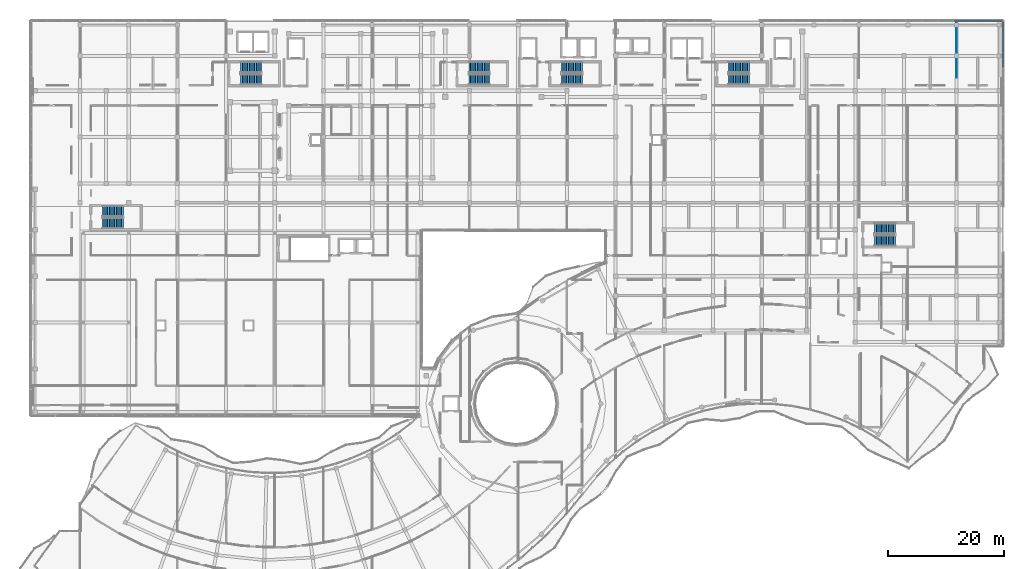
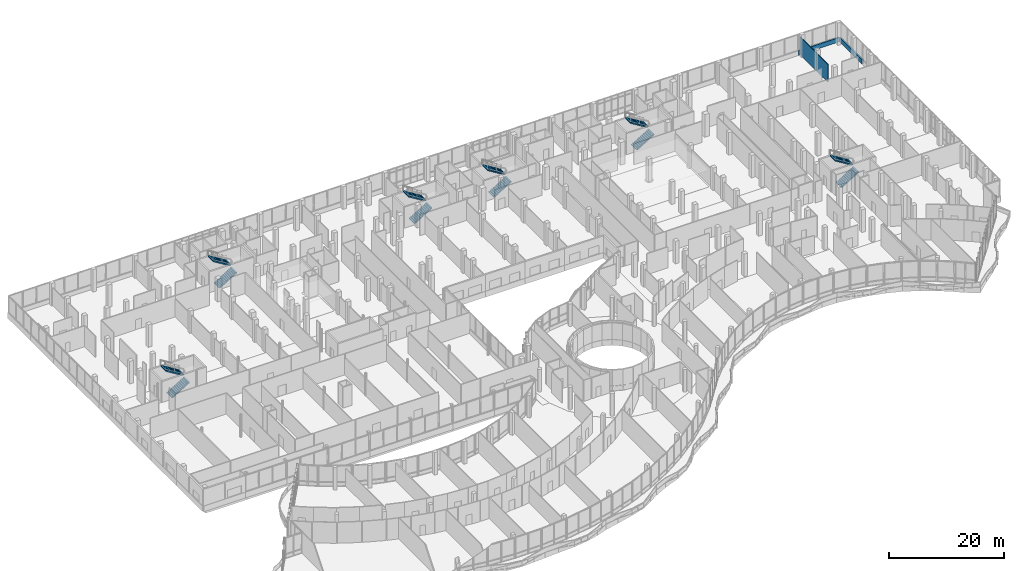
# One storey, part 142 of 155: 12 stair flights, 3 walls, 6 elements without a shape of their own.
"""IFC4 building model written with IfcOpenShell, lengths in metres."""

from ifc_helpers import new_model, si_unit, direction, frame, frame_2d, origin, place, context, subcontext, project, spatial, polyline, rectangle, outline, extrude, material, layer, layer_set, type_object, element, aggregate, save


model = new_model("IFC4")

# Units and contexts
model_context = context("Model", 3, precision=1e-05, world=origin(), true_north=direction((0.0, 1.0)))
body_context = subcontext(model_context, "Body", "Model", "MODEL_VIEW")
ifc_project = project(units=[si_unit("LENGTHUNIT", "METRE"), si_unit("AREAUNIT", "SQUARE_METRE"), si_unit("VOLUMEUNIT", "CUBIC_METRE"), si_unit("PLANEANGLEUNIT", "RADIAN"), si_unit("MASSUNIT", "GRAM", prefix="KILO")], contexts=[model_context])

# Site, building, storey
site_placement = place(None, origin())
site = spatial("IfcSite", under=ifc_project, at=site_placement, CompositionType="ELEMENT")
building_placement = place(site_placement, origin())
building = spatial("IfcBuilding", under=site, at=building_placement, Name="Selatvlak General Hospital", CompositionType="ELEMENT")
storey_placement = place(building_placement, frame((0.0, 0.0, 10.199951171875)))
storey = spatial("IfcBuildingStorey", under=building, at=storey_placement, Name="L02", CompositionType="ELEMENT", Elevation=10.199951171875)

# Walls
ifc_material_1 = material(Name="Precast concrete C40/50 - white Bauhaus spandrel", Category="concrete")
ifc_layer_1 = layer(ifc_material_1, 0.280029296875, Name="Precast concrete C40/50 - white Bauhaus spandrel", Category="concrete")
ifc_layer_set_1 = layer_set([ifc_layer_1], Name="Precast concrete C40/50 - white Bauhaus spandrel")
wall_type_1 = type_object("IfcWallType", Name="WALL-EW-02", PredefinedType="SOLIDWALL", material=ifc_layer_set_1)
wall_1_placement = place(storey_placement, frame((173.62109375, 120.0, 0.0), z_axis=(0.0, 0.0, 1.0), x_axis=(1.0, 0.0, 0.0)))
element("IfcWall", 1, at=wall_1_placement, inside=storey, type_object=wall_type_1, Name="L02 Bauhaus spandrel sill wall 0306", PredefinedType="SOLIDWALL", context=body_context, shape_type="SweptSolid", body=[
    extrude(rectangle(XDim=8.23779296875, YDim=0.280029296875, at=frame_2d((4.118896484375, 0.0))), origin(), (0.0, 0.0, 1.0), 0.93994140625),
])
wall_2_placement = place(storey_placement, frame((181.9990234375, 119.860107421875, 0.0), z_axis=(0.0, 0.0, 1.0), x_axis=(0.0, -1.0, 0.0)))
element("IfcWall", 2, at=wall_2_placement, inside=storey, type_object=wall_type_1, Name="L02 Bauhaus spandrel sill wall 0307", PredefinedType="SOLIDWALL", context=body_context, shape_type="SweptSolid", body=[
    extrude(rectangle(XDim=7.858154296875, YDim=0.280029296875, at=frame_2d((3.92919921875, 0.0))), origin(), (0.0, 0.0, 1.0), 0.93994140625),
])
ifc_material_2 = material(Name="Acoustic gypsum stud partition")
ifc_layer_2 = layer(ifc_material_2, 0.14990234375, Name="Acoustic gypsum stud partition")
ifc_layer_set_2 = layer_set([ifc_layer_2], Name="Acoustic gypsum stud partition")
wall_type_2 = type_object("IfcWallType", Name="WALL-PT-03", PredefinedType="PARTITIONING", material=ifc_layer_set_2)
wall_3_placement = place(storey_placement, frame((174.0, 119.9580078125, 0.0), z_axis=(0.0, 0.0, 1.0), x_axis=(0.0, -1.0, 0.0)))
element("IfcWall", 3, at=wall_3_placement, inside=storey, type_object=wall_type_2, Name="L02 clinical partition PT-L02-1362", PredefinedType="PARTITIONING", context=body_context, shape_type="SweptSolid", body=[
    extrude(rectangle(XDim=9.748046875, YDim=0.14990234375, at=frame_2d((4.8740234375, 0.0))), origin(), (0.0, 0.0, 1.0), 3.81005859375),
])

# Stair, stair flights
ifc_material_3 = material(Name="Precast concrete C40/50", Category="concrete")
stair_type_1 = type_object("IfcStairType", Name="STAIR-ST-01", PredefinedType="HALF_TURN_STAIR", material=ifc_material_3)
stair_1_placement = place(storey_placement, origin())
stair_1 = element("IfcStair", 4, at=stair_1_placement, inside=storey, type_object=stair_type_1, Name="L02 Protected exit stair ST-01", PredefinedType="HALF_TURN_STAIR")
ifc_layer_3 = layer(ifc_material_3, 0.179931640625, Name="Precast concrete C40/50", Category="concrete")
ifc_layer_set_3 = layer_set([ifc_layer_3], Name="Precast concrete C40/50")
stair_flight_type_1 = type_object("IfcStairFlightType", Name="FLIGHT-ST-01", PredefinedType="STRAIGHT", material=ifc_layer_set_3)
stair_flight_1_placement = place(storey_placement, frame((50.510009765625, 109.929931640625, 0.0), z_axis=(0.0, 0.0, 1.0), x_axis=(1.0, 0.0, 0.0)))
stair_flight_1 = element("IfcStairFlight", 5, at=stair_flight_1_placement, type_object=stair_flight_type_1, Name="ST-01 flight 1", NumberOfRisers=13, NumberOfTreads=12, PredefinedType="STRAIGHT", RiserHeight=0.184615385, TreadLength=0.3, context=body_context, shape_type="SweptSolid", body=[
    extrude(outline(polyline([(0.0, 0.0), (0.0, 0.1845703125), (0.300048828125, 0.1845703125), (0.300048828125, 0.369140625), (0.60009765625, 0.369140625), (0.60009765625, 0.553955078125), (0.89990234375, 0.553955078125), (0.89990234375, 0.738525390625), (1.199951171875, 0.738525390625), (1.199951171875, 0.923095703125), (1.5, 0.923095703125), (1.5, 1.107666015625), (1.800048828125, 1.107666015625), (1.800048828125, 1.292236328125), (2.10009765625, 1.292236328125), (2.10009765625, 1.476806640625), (2.39990234375, 1.476806640625), (2.39990234375, 1.66162109375), (2.699951171875, 1.66162109375), (2.699951171875, 1.84619140625), (3.0, 1.84619140625), (3.0, 2.03076171875), (3.300048828125, 2.03076171875), (3.300048828125, 2.21533203125), (3.60009765625, 2.21533203125), (3.60009765625, 2.39990234375), (3.60009765625, 2.004150390625), (0.34326171875, 0.0), (0.0, 0.0)])), frame((0.0, 0.93017578125, 0.0), z_axis=(0.0, -1.0, 0.0), x_axis=(1.0, 0.0, 0.0)), (0.0, 0.0, 1.0), 1.860107421875),
])
stair_flight_2_placement = place(storey_placement, frame((54.110107421875, 112.010009765625, 2.400146484375), z_axis=(0.0, 0.0, 1.0), x_axis=(-1.0, 0.0, 0.0)))
stair_flight_2 = element("IfcStairFlight", 6, at=stair_flight_2_placement, type_object=stair_flight_type_1, Name="ST-01 flight 2", NumberOfRisers=13, NumberOfTreads=12, PredefinedType="STRAIGHT", RiserHeight=0.184615385, TreadLength=0.3, context=body_context, shape_type="SweptSolid", body=[
    extrude(outline(polyline([(0.0, 0.0), (0.0, 0.1845703125), (0.300048828125, 0.1845703125), (0.300048828125, 0.369140625), (0.60009765625, 0.369140625), (0.60009765625, 0.553955078125), (0.89990234375, 0.553955078125), (0.89990234375, 0.738525390625), (1.199951171875, 0.738525390625), (1.199951171875, 0.923095703125), (1.5, 0.923095703125), (1.5, 1.107666015625), (1.800048828125, 1.107666015625), (1.800048828125, 1.292236328125), (2.10009765625, 1.292236328125), (2.10009765625, 1.476806640625), (2.39990234375, 1.476806640625), (2.39990234375, 1.66162109375), (2.699951171875, 1.66162109375), (2.699951171875, 1.84619140625), (3.0, 1.84619140625), (3.0, 2.03076171875), (3.300048828125, 2.03076171875), (3.300048828125, 2.21533203125), (3.60009765625, 2.21533203125), (3.60009765625, 2.39990234375), (3.60009765625, 2.004150390625), (0.34326171875, 0.0), (0.0, 0.0)])), frame((0.0, 0.93017578125, 0.0), z_axis=(0.0, -1.0, 0.0), x_axis=(1.0, 0.0, 0.0)), (0.0, 0.0, 1.0), 1.860107421875),
])
aggregate(stair_1, [stair_flight_1, stair_flight_2])

stair_type_2 = type_object("IfcStairType", Name="STAIR-ST-02", PredefinedType="HALF_TURN_STAIR", material=ifc_material_3)
stair_2_placement = place(storey_placement, origin())
stair_2 = element("IfcStair", 7, at=stair_2_placement, inside=storey, type_object=stair_type_2, Name="L02 Protected exit stair ST-02", PredefinedType="HALF_TURN_STAIR")
ifc_layer_4 = layer(ifc_material_3, 0.179931640625, Name="Precast concrete C40/50", Category="concrete")
ifc_layer_set_4 = layer_set([ifc_layer_4], Name="Precast concrete C40/50")
stair_flight_type_2 = type_object("IfcStairFlightType", Name="FLIGHT-ST-02", PredefinedType="STRAIGHT", material=ifc_layer_set_4)
stair_flight_3_placement = place(storey_placement, frame((89.860107421875, 109.929931640625, 0.0), z_axis=(0.0, 0.0, 1.0), x_axis=(1.0, 0.0, 0.0)))
stair_flight_3 = element("IfcStairFlight", 8, at=stair_flight_3_placement, type_object=stair_flight_type_2, Name="ST-02 flight 1", NumberOfRisers=13, NumberOfTreads=12, PredefinedType="STRAIGHT", RiserHeight=0.184615385, TreadLength=0.3, context=body_context, shape_type="SweptSolid", body=[
    extrude(outline(polyline([(0.0, 0.0), (0.0, 0.1845703125), (0.300048828125, 0.1845703125), (0.300048828125, 0.369140625), (0.60009765625, 0.369140625), (0.60009765625, 0.553955078125), (0.89990234375, 0.553955078125), (0.89990234375, 0.738525390625), (1.199951171875, 0.738525390625), (1.199951171875, 0.923095703125), (1.5, 0.923095703125), (1.5, 1.107666015625), (1.800048828125, 1.107666015625), (1.800048828125, 1.292236328125), (2.10009765625, 1.292236328125), (2.10009765625, 1.476806640625), (2.39990234375, 1.476806640625), (2.39990234375, 1.66162109375), (2.699951171875, 1.66162109375), (2.699951171875, 1.84619140625), (3.0, 1.84619140625), (3.0, 2.03076171875), (3.300048828125, 2.03076171875), (3.300048828125, 2.21533203125), (3.60009765625, 2.21533203125), (3.60009765625, 2.39990234375), (3.60009765625, 2.004150390625), (0.34326171875, 0.0), (0.0, 0.0)])), frame((0.0, 0.93017578125, 0.0), z_axis=(0.0, -1.0, 0.0), x_axis=(1.0, 0.0, 0.0)), (0.0, 0.0, 1.0), 1.860107421875),
])
stair_flight_4_placement = place(storey_placement, frame((93.4599609375, 112.010009765625, 2.400146484375), z_axis=(0.0, 0.0, 1.0), x_axis=(-1.0, 0.0, 0.0)))
stair_flight_4 = element("IfcStairFlight", 9, at=stair_flight_4_placement, type_object=stair_flight_type_2, Name="ST-02 flight 2", NumberOfRisers=13, NumberOfTreads=12, PredefinedType="STRAIGHT", RiserHeight=0.184615385, TreadLength=0.3, context=body_context, shape_type="SweptSolid", body=[
    extrude(outline(polyline([(0.0, 0.0), (0.0, 0.1845703125), (0.300048828125, 0.1845703125), (0.300048828125, 0.369140625), (0.60009765625, 0.369140625), (0.60009765625, 0.553955078125), (0.89990234375, 0.553955078125), (0.89990234375, 0.738525390625), (1.199951171875, 0.738525390625), (1.199951171875, 0.923095703125), (1.5, 0.923095703125), (1.5, 1.107666015625), (1.800048828125, 1.107666015625), (1.800048828125, 1.292236328125), (2.10009765625, 1.292236328125), (2.10009765625, 1.476806640625), (2.39990234375, 1.476806640625), (2.39990234375, 1.66162109375), (2.699951171875, 1.66162109375), (2.699951171875, 1.84619140625), (3.0, 1.84619140625), (3.0, 2.03076171875), (3.300048828125, 2.03076171875), (3.300048828125, 2.21533203125), (3.60009765625, 2.21533203125), (3.60009765625, 2.39990234375), (3.60009765625, 2.004150390625), (0.34326171875, 0.0), (0.0, 0.0)])), frame((0.0, 0.93017578125, 0.0), z_axis=(0.0, -1.0, 0.0), x_axis=(1.0, 0.0, 0.0)), (0.0, 0.0, 1.0), 1.860107421875),
])
aggregate(stair_2, [stair_flight_3, stair_flight_4])

stair_type_3 = type_object("IfcStairType", Name="STAIR-ST-03", PredefinedType="HALF_TURN_STAIR", material=ifc_material_3)
stair_3_placement = place(storey_placement, origin())
stair_3 = element("IfcStair", 10, at=stair_3_placement, inside=storey, type_object=stair_type_3, Name="L02 Protected exit stair ST-03", PredefinedType="HALF_TURN_STAIR")
ifc_layer_5 = layer(ifc_material_3, 0.179931640625, Name="Precast concrete C40/50", Category="concrete")
ifc_layer_set_5 = layer_set([ifc_layer_5], Name="Precast concrete C40/50")
stair_flight_type_3 = type_object("IfcStairFlightType", Name="FLIGHT-ST-03", PredefinedType="STRAIGHT", material=ifc_layer_set_5)
stair_flight_5_placement = place(storey_placement, frame((105.860107421875, 109.929931640625, 0.0), z_axis=(0.0, 0.0, 1.0), x_axis=(1.0, 0.0, 0.0)))
stair_flight_5 = element("IfcStairFlight", 11, at=stair_flight_5_placement, type_object=stair_flight_type_3, Name="ST-03 flight 1", NumberOfRisers=13, NumberOfTreads=12, PredefinedType="STRAIGHT", RiserHeight=0.184615385, TreadLength=0.3, context=body_context, shape_type="SweptSolid", body=[
    extrude(outline(polyline([(0.0, 0.0), (0.0, 0.1845703125), (0.300048828125, 0.1845703125), (0.300048828125, 0.369140625), (0.60009765625, 0.369140625), (0.60009765625, 0.553955078125), (0.89990234375, 0.553955078125), (0.89990234375, 0.738525390625), (1.199951171875, 0.738525390625), (1.199951171875, 0.923095703125), (1.5, 0.923095703125), (1.5, 1.107666015625), (1.800048828125, 1.107666015625), (1.800048828125, 1.292236328125), (2.10009765625, 1.292236328125), (2.10009765625, 1.476806640625), (2.39990234375, 1.476806640625), (2.39990234375, 1.66162109375), (2.699951171875, 1.66162109375), (2.699951171875, 1.84619140625), (3.0, 1.84619140625), (3.0, 2.03076171875), (3.300048828125, 2.03076171875), (3.300048828125, 2.21533203125), (3.60009765625, 2.21533203125), (3.60009765625, 2.39990234375), (3.60009765625, 2.004150390625), (0.34326171875, 0.0), (0.0, 0.0)])), frame((0.0, 0.93017578125, 0.0), z_axis=(0.0, -1.0, 0.0), x_axis=(1.0, 0.0, 0.0)), (0.0, 0.0, 1.0), 1.860107421875),
])
stair_flight_6_placement = place(storey_placement, frame((109.4599609375, 112.010009765625, 2.400146484375), z_axis=(0.0, 0.0, 1.0), x_axis=(-1.0, 0.0, 0.0)))
stair_flight_6 = element("IfcStairFlight", 12, at=stair_flight_6_placement, type_object=stair_flight_type_3, Name="ST-03 flight 2", NumberOfRisers=13, NumberOfTreads=12, PredefinedType="STRAIGHT", RiserHeight=0.184615385, TreadLength=0.3, context=body_context, shape_type="SweptSolid", body=[
    extrude(outline(polyline([(0.0, 0.0), (0.0, 0.1845703125), (0.300048828125, 0.1845703125), (0.300048828125, 0.369140625), (0.60009765625, 0.369140625), (0.60009765625, 0.553955078125), (0.89990234375, 0.553955078125), (0.89990234375, 0.738525390625), (1.199951171875, 0.738525390625), (1.199951171875, 0.923095703125), (1.5, 0.923095703125), (1.5, 1.107666015625), (1.800048828125, 1.107666015625), (1.800048828125, 1.292236328125), (2.10009765625, 1.292236328125), (2.10009765625, 1.476806640625), (2.39990234375, 1.476806640625), (2.39990234375, 1.66162109375), (2.699951171875, 1.66162109375), (2.699951171875, 1.84619140625), (3.0, 1.84619140625), (3.0, 2.03076171875), (3.300048828125, 2.03076171875), (3.300048828125, 2.21533203125), (3.60009765625, 2.21533203125), (3.60009765625, 2.39990234375), (3.60009765625, 2.004150390625), (0.34326171875, 0.0), (0.0, 0.0)])), frame((0.0, 0.93017578125, 0.0), z_axis=(0.0, -1.0, 0.0), x_axis=(1.0, 0.0, 0.0)), (0.0, 0.0, 1.0), 1.860107421875),
])
aggregate(stair_3, [stair_flight_5, stair_flight_6])

stair_type_4 = type_object("IfcStairType", Name="STAIR-ST-04", PredefinedType="HALF_TURN_STAIR", material=ifc_material_3)
stair_4_placement = place(storey_placement, origin())
stair_4 = element("IfcStair", 13, at=stair_4_placement, inside=storey, type_object=stair_type_4, Name="L02 Protected exit stair ST-04", PredefinedType="HALF_TURN_STAIR")
ifc_layer_6 = layer(ifc_material_3, 0.179931640625, Name="Precast concrete C40/50", Category="concrete")
ifc_layer_set_6 = layer_set([ifc_layer_6], Name="Precast concrete C40/50")
stair_flight_type_4 = type_object("IfcStairFlightType", Name="FLIGHT-ST-04", PredefinedType="STRAIGHT", material=ifc_layer_set_6)
stair_flight_7_placement = place(storey_placement, frame((134.659912109375, 109.929931640625, 0.0), z_axis=(0.0, 0.0, 1.0), x_axis=(1.0, 0.0, 0.0)))
stair_flight_7 = element("IfcStairFlight", 14, at=stair_flight_7_placement, type_object=stair_flight_type_4, Name="ST-04 flight 1", NumberOfRisers=13, NumberOfTreads=12, PredefinedType="STRAIGHT", RiserHeight=0.184615385, TreadLength=0.3, context=body_context, shape_type="SweptSolid", body=[
    extrude(outline(polyline([(0.0, 0.0), (0.0, 0.1845703125), (0.300048828125, 0.1845703125), (0.300048828125, 0.369140625), (0.60009765625, 0.369140625), (0.60009765625, 0.553955078125), (0.89990234375, 0.553955078125), (0.89990234375, 0.738525390625), (1.199951171875, 0.738525390625), (1.199951171875, 0.923095703125), (1.5, 0.923095703125), (1.5, 1.107666015625), (1.800048828125, 1.107666015625), (1.800048828125, 1.292236328125), (2.10009765625, 1.292236328125), (2.10009765625, 1.476806640625), (2.39990234375, 1.476806640625), (2.39990234375, 1.66162109375), (2.699951171875, 1.66162109375), (2.699951171875, 1.84619140625), (3.0, 1.84619140625), (3.0, 2.03076171875), (3.300048828125, 2.03076171875), (3.300048828125, 2.21533203125), (3.60009765625, 2.21533203125), (3.60009765625, 2.39990234375), (3.60009765625, 2.004150390625), (0.34326171875, 0.0), (0.0, 0.0)])), frame((0.0, 0.93017578125, 0.0), z_axis=(0.0, -1.0, 0.0), x_axis=(1.0, 0.0, 0.0)), (0.0, 0.0, 1.0), 1.860107421875),
])
stair_flight_8_placement = place(storey_placement, frame((138.260009765625, 112.010009765625, 2.400146484375), z_axis=(0.0, 0.0, 1.0), x_axis=(-1.0, 0.0, 0.0)))
stair_flight_8 = element("IfcStairFlight", 15, at=stair_flight_8_placement, type_object=stair_flight_type_4, Name="ST-04 flight 2", NumberOfRisers=13, NumberOfTreads=12, PredefinedType="STRAIGHT", RiserHeight=0.184615385, TreadLength=0.3, context=body_context, shape_type="SweptSolid", body=[
    extrude(outline(polyline([(0.0, 0.0), (0.0, 0.1845703125), (0.300048828125, 0.1845703125), (0.300048828125, 0.369140625), (0.60009765625, 0.369140625), (0.60009765625, 0.553955078125), (0.89990234375, 0.553955078125), (0.89990234375, 0.738525390625), (1.199951171875, 0.738525390625), (1.199951171875, 0.923095703125), (1.5, 0.923095703125), (1.5, 1.107666015625), (1.800048828125, 1.107666015625), (1.800048828125, 1.292236328125), (2.10009765625, 1.292236328125), (2.10009765625, 1.476806640625), (2.39990234375, 1.476806640625), (2.39990234375, 1.66162109375), (2.699951171875, 1.66162109375), (2.699951171875, 1.84619140625), (3.0, 1.84619140625), (3.0, 2.03076171875), (3.300048828125, 2.03076171875), (3.300048828125, 2.21533203125), (3.60009765625, 2.21533203125), (3.60009765625, 2.39990234375), (3.60009765625, 2.004150390625), (0.34326171875, 0.0), (0.0, 0.0)])), frame((0.0, 0.93017578125, 0.0), z_axis=(0.0, -1.0, 0.0), x_axis=(1.0, 0.0, 0.0)), (0.0, 0.0, 1.0), 1.860107421875),
])
aggregate(stair_4, [stair_flight_7, stair_flight_8])

stair_type_5 = type_object("IfcStairType", Name="STAIR-ST-06", PredefinedType="HALF_TURN_STAIR", material=ifc_material_3)
stair_5_placement = place(storey_placement, origin())
stair_5 = element("IfcStair", 16, at=stair_5_placement, inside=storey, type_object=stair_type_5, Name="L02 Protected exit stair ST-06", PredefinedType="HALF_TURN_STAIR")
ifc_layer_7 = layer(ifc_material_3, 0.179931640625, Name="Precast concrete C40/50", Category="concrete")
ifc_layer_set_7 = layer_set([ifc_layer_7], Name="Precast concrete C40/50")
stair_flight_type_5 = type_object("IfcStairFlightType", Name="FLIGHT-ST-06", PredefinedType="STRAIGHT", material=ifc_layer_set_7)
stair_flight_9_placement = place(storey_placement, frame((159.860107421875, 82.1298828125, 0.0), z_axis=(0.0, 0.0, 1.0), x_axis=(1.0, 0.0, 0.0)))
stair_flight_9 = element("IfcStairFlight", 17, at=stair_flight_9_placement, type_object=stair_flight_type_5, Name="ST-06 flight 1", NumberOfRisers=13, NumberOfTreads=12, PredefinedType="STRAIGHT", RiserHeight=0.184615385, TreadLength=0.3, context=body_context, shape_type="SweptSolid", body=[
    extrude(outline(polyline([(0.0, 0.0), (0.0, 0.1845703125), (0.300048828125, 0.1845703125), (0.300048828125, 0.369140625), (0.60009765625, 0.369140625), (0.60009765625, 0.553955078125), (0.89990234375, 0.553955078125), (0.89990234375, 0.738525390625), (1.199951171875, 0.738525390625), (1.199951171875, 0.923095703125), (1.5, 0.923095703125), (1.5, 1.107666015625), (1.800048828125, 1.107666015625), (1.800048828125, 1.292236328125), (2.10009765625, 1.292236328125), (2.10009765625, 1.476806640625), (2.39990234375, 1.476806640625), (2.39990234375, 1.66162109375), (2.699951171875, 1.66162109375), (2.699951171875, 1.84619140625), (3.0, 1.84619140625), (3.0, 2.03076171875), (3.300048828125, 2.03076171875), (3.300048828125, 2.21533203125), (3.60009765625, 2.21533203125), (3.60009765625, 2.39990234375), (3.60009765625, 2.004150390625), (0.34326171875, 0.0), (0.0, 0.0)])), frame((0.0, 0.93017578125, 0.0), z_axis=(0.0, -1.0, 0.0), x_axis=(1.0, 0.0, 0.0)), (0.0, 0.0, 1.0), 1.860107421875),
])
stair_flight_10_placement = place(storey_placement, frame((163.4599609375, 84.2099609375, 2.400146484375), z_axis=(0.0, 0.0, 1.0), x_axis=(-1.0, 0.0, 0.0)))
stair_flight_10 = element("IfcStairFlight", 18, at=stair_flight_10_placement, type_object=stair_flight_type_5, Name="ST-06 flight 2", NumberOfRisers=13, NumberOfTreads=12, PredefinedType="STRAIGHT", RiserHeight=0.184615385, TreadLength=0.3, context=body_context, shape_type="SweptSolid", body=[
    extrude(outline(polyline([(0.0, 0.0), (0.0, 0.1845703125), (0.300048828125, 0.1845703125), (0.300048828125, 0.369140625), (0.60009765625, 0.369140625), (0.60009765625, 0.553955078125), (0.89990234375, 0.553955078125), (0.89990234375, 0.738525390625), (1.199951171875, 0.738525390625), (1.199951171875, 0.923095703125), (1.5, 0.923095703125), (1.5, 1.107666015625), (1.800048828125, 1.107666015625), (1.800048828125, 1.292236328125), (2.10009765625, 1.292236328125), (2.10009765625, 1.476806640625), (2.39990234375, 1.476806640625), (2.39990234375, 1.66162109375), (2.699951171875, 1.66162109375), (2.699951171875, 1.84619140625), (3.0, 1.84619140625), (3.0, 2.03076171875), (3.300048828125, 2.03076171875), (3.300048828125, 2.21533203125), (3.60009765625, 2.21533203125), (3.60009765625, 2.39990234375), (3.60009765625, 2.004150390625), (0.34326171875, 0.0), (0.0, 0.0)])), frame((0.0, 0.93017578125, 0.0), z_axis=(0.0, -1.0, 0.0), x_axis=(1.0, 0.0, 0.0)), (0.0, 0.0, 1.0), 1.860107421875),
])
aggregate(stair_5, [stair_flight_9, stair_flight_10])

stair_type_6 = type_object("IfcStairType", Name="STAIR-ST-07", PredefinedType="HALF_TURN_STAIR", material=ifc_material_3)
stair_6_placement = place(storey_placement, origin())
stair_6 = element("IfcStair", 19, at=stair_6_placement, inside=storey, type_object=stair_type_6, Name="L02 Protected exit stair ST-07", PredefinedType="HALF_TURN_STAIR")
ifc_layer_8 = layer(ifc_material_3, 0.179931640625, Name="Precast concrete C40/50", Category="concrete")
ifc_layer_set_8 = layer_set([ifc_layer_8], Name="Precast concrete C40/50")
stair_flight_type_6 = type_object("IfcStairFlightType", Name="FLIGHT-ST-07", PredefinedType="STRAIGHT", material=ifc_layer_set_8)
stair_flight_11_placement = place(storey_placement, frame((26.659912109375, 85.1298828125, 0.0), z_axis=(0.0, 0.0, 1.0), x_axis=(1.0, 0.0, 0.0)))
stair_flight_11 = element("IfcStairFlight", 20, at=stair_flight_11_placement, type_object=stair_flight_type_6, Name="ST-07 flight 1", NumberOfRisers=13, NumberOfTreads=12, PredefinedType="STRAIGHT", RiserHeight=0.184615385, TreadLength=0.3, context=body_context, shape_type="SweptSolid", body=[
    extrude(outline(polyline([(0.0, 0.0), (0.0, 0.1845703125), (0.300048828125, 0.1845703125), (0.300048828125, 0.369140625), (0.60009765625, 0.369140625), (0.60009765625, 0.553955078125), (0.89990234375, 0.553955078125), (0.89990234375, 0.738525390625), (1.199951171875, 0.738525390625), (1.199951171875, 0.923095703125), (1.5, 0.923095703125), (1.5, 1.107666015625), (1.800048828125, 1.107666015625), (1.800048828125, 1.292236328125), (2.10009765625, 1.292236328125), (2.10009765625, 1.476806640625), (2.39990234375, 1.476806640625), (2.39990234375, 1.66162109375), (2.699951171875, 1.66162109375), (2.699951171875, 1.84619140625), (3.0, 1.84619140625), (3.0, 2.03076171875), (3.300048828125, 2.03076171875), (3.300048828125, 2.21533203125), (3.60009765625, 2.21533203125), (3.60009765625, 2.39990234375), (3.60009765625, 2.004150390625), (0.34326171875, 0.0), (0.0, 0.0)])), frame((0.0, 0.93017578125, 0.0), z_axis=(0.0, -1.0, 0.0), x_axis=(1.0, 0.0, 0.0)), (0.0, 0.0, 1.0), 1.860107421875),
])
stair_flight_12_placement = place(storey_placement, frame((30.260009765625, 87.2099609375, 2.400146484375), z_axis=(0.0, 0.0, 1.0), x_axis=(-1.0, 0.0, 0.0)))
stair_flight_12 = element("IfcStairFlight", 21, at=stair_flight_12_placement, type_object=stair_flight_type_6, Name="ST-07 flight 2", NumberOfRisers=13, NumberOfTreads=12, PredefinedType="STRAIGHT", RiserHeight=0.184615385, TreadLength=0.3, context=body_context, shape_type="SweptSolid", body=[
    extrude(outline(polyline([(0.0, 0.0), (0.0, 0.1845703125), (0.300048828125, 0.1845703125), (0.300048828125, 0.369140625), (0.60009765625, 0.369140625), (0.60009765625, 0.553955078125), (0.89990234375, 0.553955078125), (0.89990234375, 0.738525390625), (1.199951171875, 0.738525390625), (1.199951171875, 0.923095703125), (1.5, 0.923095703125), (1.5, 1.107666015625), (1.800048828125, 1.107666015625), (1.800048828125, 1.292236328125), (2.10009765625, 1.292236328125), (2.10009765625, 1.476806640625), (2.39990234375, 1.476806640625), (2.39990234375, 1.66162109375), (2.699951171875, 1.66162109375), (2.699951171875, 1.84619140625), (3.0, 1.84619140625), (3.0, 2.03076171875), (3.300048828125, 2.03076171875), (3.300048828125, 2.21533203125), (3.60009765625, 2.21533203125), (3.60009765625, 2.39990234375), (3.60009765625, 2.004150390625), (0.34326171875, 0.0), (0.0, 0.0)])), frame((0.0, 0.93017578125, 0.0), z_axis=(0.0, -1.0, 0.0), x_axis=(1.0, 0.0, 0.0)), (0.0, 0.0, 1.0), 1.860107421875),
])
aggregate(stair_6, [stair_flight_11, stair_flight_12])

save(model, "model.ifc")
